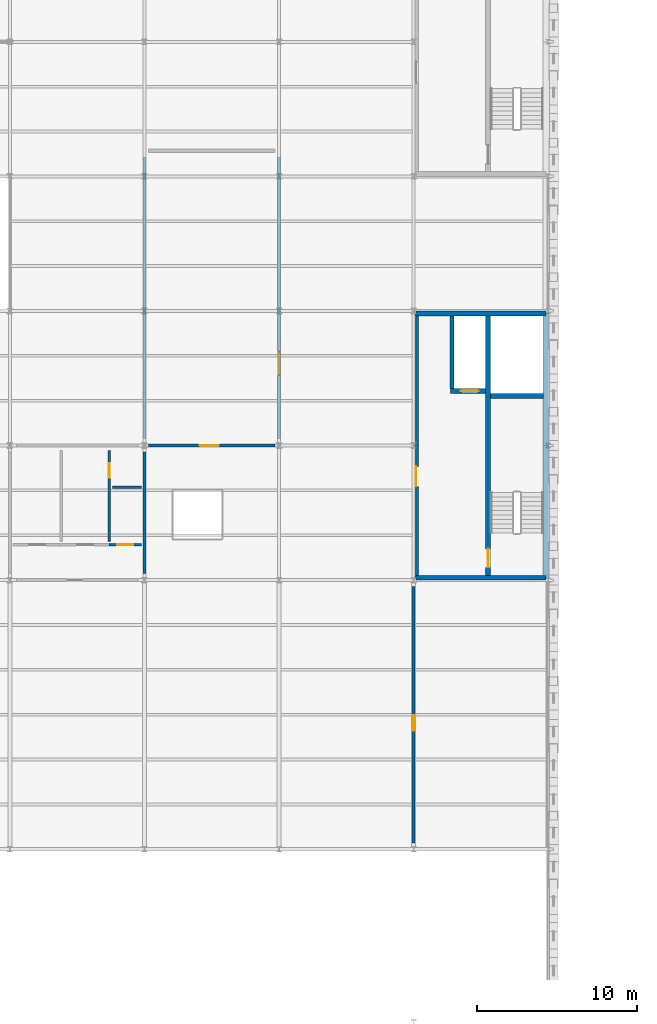
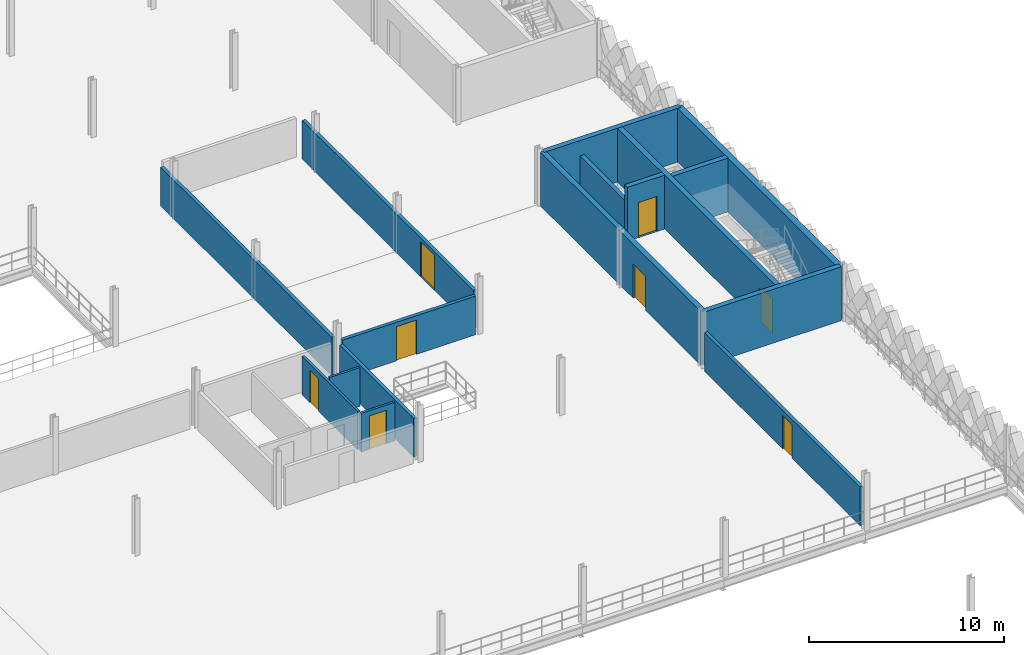
# One storey, part 40 of 47: 16 walls, 8 doors, 8 openings.
"""IFC4 building model written with IfcOpenShell, lengths in metres."""

import ifcopenshell
import ifcopenshell.guid

model = None  # the IFC model being written
_history = None  # IfcOwnerHistory: only IFC2X3 demands one
_inside = {}  # id of a spatial element -> (the spatial element, [elements in it])
_under = {}  # id of a project, library or spatial element -> (it, [spatial elements below it])
_declared = {}  # id of a project -> (the project, [libraries it declares])
_typed = {}  # id of a type object -> (the type object, [elements of that type])
_made_of = {}  # id of a material, layer set ... -> (it, [elements and type objects made of it])


def new_model(schema):
    """Start an empty IFC model of exactly this schema.

    Asked for "IFC4X3", IfcOpenShell would pick the latest addendum, in which some entities
    have other attributes; the version numbers below select the first issue.
    IFC2X3 requires an IfcOwnerHistory on every rooted entity: one is made here for all.
    """
    global model, _history
    if schema == "IFC4X3":
        model = ifcopenshell.file(schema_version=(4, 3, 0, 0))
    else:
        model = ifcopenshell.file(schema=schema)
    _inside.clear()
    _under.clear()
    _declared.clear()
    _typed.clear()
    _made_of.clear()
    _history = None
    if model.schema == "IFC2X3":
        org = make("IfcOrganization", Name="unknown")
        user = make(
            "IfcPersonAndOrganization",
            ThePerson=make("IfcPerson", FamilyName="unknown"),
            TheOrganization=org,
        )
        app = make(
            "IfcApplication",
            ApplicationDeveloper=org,
            Version="unknown",
            ApplicationFullName="unknown",
            ApplicationIdentifier="unknown",
        )
        _history = make(
            "IfcOwnerHistory",
            OwningUser=user,
            OwningApplication=app,
            ChangeAction="ADDED",
            CreationDate=0,
        )
    return model


def make(cls, **values):
    """One entity of the class cls with the attributes given. An attribute that is None is left unset."""
    return model.create_entity(
        cls, **{name: value for name, value in values.items() if value is not None}
    )


def rooted(cls, **values):
    """An entity with a GlobalId (a new one), such as an element, a storey or a relation."""
    return make(cls, GlobalId=ifcopenshell.guid.new(), OwnerHistory=_history, **values)


def si_unit(unit_type, name, prefix=None):
    """IfcSIUnit, for example si_unit("LENGTHUNIT", "METRE", prefix="MILLI")."""
    return make("IfcSIUnit", UnitType=unit_type, Prefix=prefix, Name=name)


def assignment(units):
    """IfcUnitAssignment: the units of a project."""
    return None if units is None else make("IfcUnitAssignment", Units=units)


def point(xyz):
    """IfcCartesianPoint."""
    return None if xyz is None else make("IfcCartesianPoint", Coordinates=xyz)


def direction(xyz):
    """IfcDirection."""
    return None if xyz is None else make("IfcDirection", DirectionRatios=xyz)


def frame(location, z_axis=None, x_axis=None):
    """IfcAxis2Placement3D, a coordinate frame: its origin and axes. An axis left out is left unset."""
    return make(
        "IfcAxis2Placement3D",
        Location=point(location),
        Axis=direction(z_axis),
        RefDirection=direction(x_axis),
    )


def frame_2d(location, x_axis=None):
    """IfcAxis2Placement2D, a coordinate frame in the plane: its origin and x axis."""
    return make(
        "IfcAxis2Placement2D", Location=point(location), RefDirection=direction(x_axis)
    )


def origin():
    """The frame at (0, 0, 0) with its axes left unset."""
    return frame((0.0, 0.0, 0.0))


def place(relative_to, where):
    """IfcLocalPlacement: puts the frame where relative to a parent placement (None: the world)."""
    return make(
        "IfcLocalPlacement", PlacementRelTo=relative_to, RelativePlacement=where
    )


def context(
    kind, dimensions, precision=None, world=None, true_north=None, identifier=None
):
    """IfcGeometricRepresentationContext, for example the 3D "Model" context."""
    return make(
        "IfcGeometricRepresentationContext",
        ContextIdentifier=identifier,
        ContextType=kind,
        CoordinateSpaceDimension=dimensions,
        Precision=precision,
        WorldCoordinateSystem=world,
        TrueNorth=true_north,
    )


def subcontext(parent, identifier, kind, view, scale=None):
    """IfcGeometricRepresentationSubContext, for example "Body" below "Model"."""
    return make(
        "IfcGeometricRepresentationSubContext",
        ContextIdentifier=identifier,
        ContextType=kind,
        ParentContext=parent,
        TargetScale=scale,
        TargetView=view,
    )


def project(units=None, contexts=None):
    """IfcProject with its units and contexts."""
    return rooted(
        "IfcProject",
        Name="project",
        RepresentationContexts=contexts,
        UnitsInContext=assignment(units),
    )


def spatial(cls, under=None, at=None, **own):
    """A site, building, storey or space (cls), placed at a placement, below another one or the project."""
    s = rooted(cls, ObjectPlacement=at, **own)
    if under is not None:
        _under.setdefault(under.id(), (under, []))[1].append(s)
    return s


def profile(cls, at=None, kind="AREA", **sizes):
    """A parametric profile (cls). Its sizes go by their IFC names, for example OverallWidth=200.0."""
    return make(cls, ProfileType=kind, Position=at, **sizes)


def rectangle(**sizes):
    """IfcRectangleProfileDef."""
    return profile("IfcRectangleProfileDef", **sizes)


def extrude(swept, where, along, depth):
    """IfcExtrudedAreaSolid: the profile swept, set in the frame where, extruded along a direction by depth."""
    return make(
        "IfcExtrudedAreaSolid",
        SweptArea=swept,
        Position=where,
        ExtrudedDirection=direction(along),
        Depth=depth,
    )


def shape(context_of_items, identifier, shape_type, items):
    """IfcShapeRepresentation: the items that make up one representation, for example the "Body"."""
    return make(
        "IfcShapeRepresentation",
        ContextOfItems=context_of_items,
        RepresentationIdentifier=identifier,
        RepresentationType=shape_type,
        Items=items,
    )


def material(Name=None, Category=None):
    """IfcMaterial."""
    return make("IfcMaterial", Name=Name, Category=Category)


def layer(
    of_material, thickness, ventilated=None, Name=None, Category=None, Priority=None
):
    """IfcMaterialLayer: one layer of a wall or slab, of a material (None: an air gap)."""
    return make(
        "IfcMaterialLayer",
        Material=of_material,
        LayerThickness=thickness,
        IsVentilated=ventilated,
        Name=Name,
        Category=Category,
        Priority=Priority,
    )


def layer_set(layers, Name=None):
    """IfcMaterialLayerSet."""
    return make("IfcMaterialLayerSet", MaterialLayers=layers, LayerSetName=Name)


def made_of(thing, what):
    """Note that an element or type object is made of a material, layer set ...; save() writes the relation."""
    if what is not None:
        _made_of.setdefault(what.id(), (what, []))[1].append(thing)
    return thing


def type_object(cls, material=None, **own):
    """A type object (cls), such as IfcWallType, which elements share."""
    return made_of(rooted(cls, **own), material)


def element(
    cls,
    number,
    at=None,
    inside=None,
    cuts=None,
    type_object=None,
    material=None,
    context=None,
    identifier="Body",
    shape_type=None,
    held_by="IfcProductDefinitionShape",
    body=None,
    shapes=None,
    **own,
):
    """One element of the class cls, such as IfcWall. Its Tag is "e" and its number.

    at: its placement. inside: the storey or other place that contains it. cuts: it is an
    opening in that element (IfcRelVoidsElement). A single representation is given by context,
    identifier, shape_type and body (its items); several are given by shapes. held_by: the class
    of the entity that holds the representations. save() writes the other relations.
    """
    e = rooted(cls, Tag="e%d" % number, ObjectPlacement=at, **own)
    if body is not None:
        shapes = [shape(context, identifier, shape_type, body)]
    if shapes is not None:
        e.Representation = make(held_by, Representations=shapes)
    if inside is not None:
        _inside.setdefault(inside.id(), (inside, []))[1].append(e)
    if cuts is not None:
        rooted(
            "IfcRelVoidsElement", RelatingBuildingElement=cuts, RelatedOpeningElement=e
        )
    if type_object is not None:
        _typed.setdefault(type_object.id(), (type_object, []))[1].append(e)
    return made_of(e, material)


def fill(opening, filler):
    """IfcRelFillsElement: the door or window that sits in an opening."""
    return rooted(
        "IfcRelFillsElement",
        RelatingOpeningElement=opening,
        RelatedBuildingElement=filler,
    )


def aggregate(whole, parts):
    """IfcRelAggregates: a whole, such as a stair, and the parts it consists of."""
    return rooted("IfcRelAggregates", RelatingObject=whole, RelatedObjects=parts)


def save(model, path):
    """Write the relations noted so far, then the file.

    IfcRelAggregates (storeys below a building ...), IfcRelContainedInSpatialStructure (elements
    in a storey), IfcRelDefinesByType, IfcRelAssociatesMaterial and IfcRelDeclares: one each for
    every whole, place, type object, material and project.
    """
    for whole, parts in _under.values():
        aggregate(whole, parts)
    for where, things in _inside.values():
        rooted(
            "IfcRelContainedInSpatialStructure",
            RelatedElements=things,
            RelatingStructure=where,
        )
    for kind, things in _typed.values():
        rooted("IfcRelDefinesByType", RelatedObjects=things, RelatingType=kind)
    for what, things in _made_of.values():
        rooted("IfcRelAssociatesMaterial", RelatedObjects=things, RelatingMaterial=what)
    for by, libraries in _declared.values():
        rooted("IfcRelDeclares", RelatingContext=by, RelatedDefinitions=libraries)
    model.write(path)


model = new_model("IFC4")

# Units and contexts
model_context = context("Model", 3, precision=1e-05, world=origin(), true_north=direction((0.0, 1.0)))
body_context = subcontext(model_context, "Body", "Model", "MODEL_VIEW")
ifc_project = project(units=[si_unit("LENGTHUNIT", "METRE"), si_unit("AREAUNIT", "SQUARE_METRE"), si_unit("VOLUMEUNIT", "CUBIC_METRE"), si_unit("PLANEANGLEUNIT", "RADIAN"), si_unit("MASSUNIT", "GRAM", prefix="KILO"), si_unit("THERMODYNAMICTEMPERATUREUNIT", "KELVIN"), si_unit("POWERUNIT", "WATT")], contexts=[model_context])

# Site, building, storey
site_placement = place(None, origin())
site = spatial("IfcSite", under=ifc_project, at=site_placement, CompositionType="ELEMENT")
building_placement = place(site_placement, origin())
building = spatial("IfcBuilding", under=site, at=building_placement, Name="Tembeka Court Mobility Hub", CompositionType="ELEMENT")
storey_placement = place(building_placement, frame((0.0, 0.0, 19.800048828125)))
storey = spatial("IfcBuildingStorey", under=building, at=storey_placement, Name="L05", CompositionType="ELEMENT", Elevation=19.800048828125)

# Walls
ifc_material_1 = material(Name="Concrete C40/50", Category="concrete")
ifc_layer_1 = layer(ifc_material_1, 0.25)
ifc_layer_set_1 = layer_set([ifc_layer_1], Name="Concrete C40/50")
wall_type_1 = type_object("IfcWallType", Name="WL-IW01", PredefinedType="PARTITIONING", material=ifc_layer_set_1)
wall_1_placement = place(storey_placement, frame((86.39990234375, 50.35009765625, 0.0), z_axis=(0.0, 0.0, 1.0), x_axis=(0.0, 1.0, 0.0)))
element("IfcWall", 1, at=wall_1_placement, inside=storey, type_object=wall_type_1, Name="Wall IW01 (IW-L05-0240)", PredefinedType="PARTITIONING", context=body_context, shape_type="SweptSolid", body=[
    extrude(rectangle(XDim=4.5498046875, YDim=0.25, at=frame_2d((2.27490234375, 0.0))), origin(), (0.0, 0.0, 1.0), 2.425048828125),
])
ifc_material_2 = material(Name="Concrete blockwork masonry", Category="masonry")
ifc_layer_2 = layer(ifc_material_2, 0.199951171875)
ifc_layer_set_2 = layer_set([ifc_layer_2], Name="Concrete blockwork masonry")
wall_type_2 = type_object("IfcWallType", Name="WL-IW02", PredefinedType="PARTITIONING", material=ifc_layer_set_2)
wall_2_placement = place(storey_placement, frame((67.199951171875, 38.800048828125, 0.0), z_axis=(0.0, 0.0, 1.0), x_axis=(0.0, 1.0, 0.0)))
element("IfcWall", 2, at=wall_2_placement, inside=storey, type_object=wall_type_2, Name="Wall IW02 (IW-L05-0399)", PredefinedType="PARTITIONING", context=body_context, shape_type="SweptSolid", body=[
    extrude(rectangle(XDim=7.599853515625, YDim=0.199951171875, at=frame_2d((3.7998046875, 0.0))), origin(), (0.0, 0.0, 1.0), 2.425048828125),
])

# Wall, opening, door
wall_3_placement = place(storey_placement, frame((84.0, 22.0, 0.0), z_axis=(0.0, 0.0, 1.0), x_axis=(0.0, 1.0, 0.0)))
wall_3 = element("IfcWall", 3, at=wall_3_placement, inside=storey, type_object=wall_type_2, Name="Wall IW02 (IW-L05-0449)", PredefinedType="PARTITIONING", context=body_context, shape_type="SweptSolid", body=[
    extrude(rectangle(XDim=16.0, YDim=0.199951171875, at=frame_2d((8.0, 0.0))), origin(), (0.0, 0.0, 1.0), 2.425048828125),
])
opening_1_placement = place(wall_3_placement, frame((7.0, 0.0, 0.0)))
opening_1 = element("IfcOpeningElement", 4, at=opening_1_placement, cuts=wall_3, Name="Opening ID01", PredefinedType="OPENING", context=body_context, shape_type="SweptSolid", body=[
    extrude(rectangle(XDim=0.949951171875, YDim=2.10009765625, at=frame_2d((0.47509765625, 1.050048828125))), frame((0.0, 0.10986328125, 0.0), z_axis=(0.0, -1.0, 0.0), x_axis=(1.0, 0.0, 0.0)), (0.0, 0.0, 1.0), 0.219970703125),
])
ifc_material_3 = material(Name="Powder-coated aluminium glazed doorset", Category="aluminium")
door_type_1 = type_object("IfcDoorType", Name="DR-ID01", OperationType="NOTDEFINED", PredefinedType="DOOR", material=ifc_material_3)
door_1_placement = place(opening_1_placement, origin())
door_1 = element("IfcDoor", 5, at=door_1_placement, inside=storey, type_object=door_type_1, Name="Door ID01-0222", OperationType="SINGLE_SWING_LEFT", OverallHeight=2.10009765625, OverallWidth=0.949951171875, PredefinedType="DOOR", context=body_context, shape_type="SweptSolid", body=[
    extrude(rectangle(XDim=0.949951171875, YDim=2.10009765625, at=frame_2d((0.47509765625, 1.050048828125))), frame((0.0, 0.02490234375, 0.0), z_axis=(0.0, -1.0, 0.0), x_axis=(1.0, 0.0, 0.0)), (0.0, 0.0, 1.0), 0.050048828125),
])
fill(opening_1, door_1)

wall_4_placement = place(storey_placement, frame((75.60009765625, 47.199951171875, 0.0), z_axis=(0.0, 0.0, 1.0), x_axis=(0.0, 1.0, 0.0)))
wall_4 = element("IfcWall", 6, at=wall_4_placement, inside=storey, type_object=wall_type_2, Name="Wall IW02 (IW-L05-0451)", PredefinedType="PARTITIONING", context=body_context, shape_type="SweptSolid", body=[
    extrude(rectangle(XDim=17.60009765625, YDim=0.199951171875, at=frame_2d((8.800048828125, 0.0))), origin(), (0.0, 0.0, 1.0), 2.425048828125),
])
opening_2_placement = place(wall_4_placement, frame((4.0, 0.0, 0.0)))
opening_2 = element("IfcOpeningElement", 7, at=opening_2_placement, cuts=wall_4, Name="Opening ID06", PredefinedType="OPENING", context=body_context, shape_type="SweptSolid", body=[
    extrude(rectangle(XDim=1.449951171875, YDim=2.199951171875, at=frame_2d((0.72509765625, 1.10009765625))), frame((0.0, 0.10986328125, 0.0), z_axis=(0.0, -1.0, 0.0), x_axis=(1.0, 0.0, 0.0)), (0.0, 0.0, 1.0), 0.219970703125),
])
door_type_2 = type_object("IfcDoorType", Name="DR-ID06", OperationType="NOTDEFINED", PredefinedType="DOOR", material=ifc_material_3)
door_2_placement = place(opening_2_placement, origin())
door_2 = element("IfcDoor", 8, at=door_2_placement, inside=storey, type_object=door_type_2, Name="Door ID06-0224", OperationType="DOUBLE_DOOR_SINGLE_SWING", OverallHeight=2.199951171875, OverallWidth=1.449951171875, PredefinedType="DOOR", context=body_context, shape_type="SweptSolid", body=[
    extrude(rectangle(XDim=1.449951171875, YDim=2.199951171875, at=frame_2d((0.72509765625, 1.10009765625))), frame((0.0, 0.02490234375, 0.0), z_axis=(0.0, -1.0, 0.0), x_axis=(1.0, 0.0, 0.0)), (0.0, 0.0, 1.0), 0.050048828125),
])
fill(opening_2, door_2)

# Wall
wall_5_placement = place(storey_placement, frame((67.199951171875, 47.199951171875, 0.0), z_axis=(0.0, 0.0, 1.0), x_axis=(0.0, 1.0, 0.0)))
element("IfcWall", 9, at=wall_5_placement, inside=storey, type_object=wall_type_2, Name="Wall IW02 (IW-L05-0452)", PredefinedType="PARTITIONING", context=body_context, shape_type="SweptSolid", body=[
    extrude(rectangle(XDim=17.60009765625, YDim=0.199951171875, at=frame_2d((8.800048828125, 0.0))), origin(), (0.0, 0.0, 1.0), 2.425048828125),
])

# Wall, opening, door
wall_6_placement = place(storey_placement, frame((67.449951171875, 46.800048828125, 0.0), z_axis=(0.0, 0.0, 1.0), x_axis=(1.0, 0.0, 0.0)))
wall_6 = element("IfcWall", 10, at=wall_6_placement, inside=storey, type_object=wall_type_2, Name="Wall IW02 (IW-L05-0454)", PredefinedType="PARTITIONING", context=body_context, shape_type="SweptSolid", body=[
    extrude(rectangle(XDim=7.900146484375, YDim=0.199951171875, at=frame_2d((3.9501953125, 0.0))), origin(), (0.0, 0.0, 1.0), 2.425048828125),
])
opening_3_placement = place(wall_6_placement, frame((3.199951171875, 0.0, 0.0)))
opening_3 = element("IfcOpeningElement", 11, at=opening_3_placement, cuts=wall_6, Name="Opening ID04", PredefinedType="OPENING", context=body_context, shape_type="SweptSolid", body=[
    extrude(rectangle(XDim=1.199951171875, YDim=2.14990234375, at=frame_2d((0.60009765625, 1.074951171875))), frame((0.0, 0.10986328125, 0.0), z_axis=(0.0, -1.0, 0.0), x_axis=(1.0, 0.0, 0.0)), (0.0, 0.0, 1.0), 0.219970703125),
])
door_type_3 = type_object("IfcDoorType", Name="DR-ID04", OperationType="NOTDEFINED", PredefinedType="DOOR", material=ifc_material_3)
door_3_placement = place(opening_3_placement, origin())
door_3 = element("IfcDoor", 12, at=door_3_placement, inside=storey, type_object=door_type_3, Name="Door ID04-0225", OperationType="SINGLE_SWING_LEFT", OverallHeight=2.14990234375, OverallWidth=1.199951171875, PredefinedType="DOOR", context=body_context, shape_type="SweptSolid", body=[
    extrude(rectangle(XDim=1.199951171875, YDim=2.14990234375, at=frame_2d((0.60009765625, 1.074951171875))), frame((0.0, 0.02490234375, 0.0), z_axis=(0.0, -1.0, 0.0), x_axis=(1.0, 0.0, 0.0)), (0.0, 0.0, 1.0), 0.050048828125),
])
fill(opening_3, door_3)

ifc_material_4 = material(Name="Moisture-resistant gypsum partition", Category="masonry")
ifc_layer_3 = layer(ifc_material_4, 0.139892578125)
ifc_layer_set_3 = layer_set([ifc_layer_3], Name="Moisture-resistant gypsum partition")
wall_type_3 = type_object("IfcWallType", Name="WL-IW05", PredefinedType="PARTITIONING", material=ifc_layer_set_3)
wall_7_placement = place(storey_placement, frame((65.0, 40.60009765625, 0.0), z_axis=(0.0, 0.0, 1.0), x_axis=(1.0, 0.0, 0.0)))
wall_7 = element("IfcWall", 13, at=wall_7_placement, inside=storey, type_object=wall_type_3, Name="Wall IW05 (IW-L05-0402)", PredefinedType="PARTITIONING", context=body_context, shape_type="SweptSolid", body=[
    extrude(rectangle(XDim=2.0, YDim=0.139892578125, at=frame_2d((1.0, 0.0))), origin(), (0.0, 0.0, 1.0), 2.425048828125),
])
opening_4_placement = place(wall_7_placement, frame((0.5, 0.0, 0.0)))
opening_4 = element("IfcOpeningElement", 14, at=opening_4_placement, cuts=wall_7, Name="Opening ID02", PredefinedType="OPENING", context=body_context, shape_type="SweptSolid", body=[
    extrude(rectangle(XDim=1.0, YDim=2.10009765625, at=frame_2d((0.5, 1.050048828125))), frame((0.0, 0.080078125, 0.0), z_axis=(0.0, -1.0, 0.0), x_axis=(1.0, 0.0, 0.0)), (0.0, 0.0, 1.0), 0.159912109375),
])
door_type_4 = type_object("IfcDoorType", Name="DR-ID02", OperationType="NOTDEFINED", PredefinedType="DOOR", material=ifc_material_3)
door_4_placement = place(opening_4_placement, origin())
door_4 = element("IfcDoor", 15, at=door_4_placement, inside=storey, type_object=door_type_4, Name="L05 accessible unisex WC door", OperationType="SINGLE_SWING_RIGHT", OverallHeight=2.10009765625, OverallWidth=1.0, PredefinedType="DOOR", context=body_context, shape_type="SweptSolid", body=[
    extrude(rectangle(XDim=1.0, YDim=2.10009765625, at=frame_2d((0.5, 1.050048828125))), frame((0.0, 0.02490234375, 0.0), z_axis=(0.0, -1.0, 0.0), x_axis=(1.0, 0.0, 0.0)), (0.0, 0.0, 1.0), 0.050048828125),
])
fill(opening_4, door_4)

wall_8_placement = place(storey_placement, frame((65.0, 40.800048828125, 0.0), z_axis=(0.0, 0.0, 1.0), x_axis=(0.0, 1.0, 0.0)))
wall_8 = element("IfcWall", 16, at=wall_8_placement, inside=storey, type_object=wall_type_3, Name="Wall IW05 (IW-L05-0404)", PredefinedType="PARTITIONING", context=body_context, shape_type="SweptSolid", body=[
    extrude(rectangle(XDim=5.699951171875, YDim=0.139892578125, at=frame_2d((2.85009765625, 0.0))), origin(), (0.0, 0.0, 1.0), 2.425048828125),
])
opening_5_placement = place(wall_8_placement, frame((4.0, 0.0, 0.0)))
opening_5 = element("IfcOpeningElement", 17, at=opening_5_placement, cuts=wall_8, Name="Opening ID08", PredefinedType="OPENING", context=body_context, shape_type="SweptSolid", body=[
    extrude(rectangle(XDim=0.89990234375, YDim=2.050048828125, at=frame_2d((0.449951171875, 1.02490234375))), frame((0.0, 0.080078125, 0.0), z_axis=(0.0, -1.0, 0.0), x_axis=(1.0, 0.0, 0.0)), (0.0, 0.0, 1.0), 0.159912109375),
])
door_type_5 = type_object("IfcDoorType", Name="DR-ID08", OperationType="NOTDEFINED", PredefinedType="DOOR", material=ifc_material_3)
door_5_placement = place(opening_5_placement, origin())
door_5 = element("IfcDoor", 18, at=door_5_placement, inside=storey, type_object=door_type_5, Name="L05 cleaner cupboard door", OperationType="SINGLE_SWING_LEFT", OverallHeight=2.050048828125, OverallWidth=0.89990234375, PredefinedType="DOOR", context=body_context, shape_type="SweptSolid", body=[
    extrude(rectangle(XDim=0.89990234375, YDim=2.050048828125, at=frame_2d((0.449951171875, 1.02490234375))), frame((0.0, 0.02490234375, 0.0), z_axis=(0.0, -1.0, 0.0), x_axis=(1.0, 0.0, 0.0)), (0.0, 0.0, 1.0), 0.050048828125),
])
fill(opening_5, door_5)

# Walls
wall_9_placement = place(storey_placement, frame((65.199951171875, 44.199951171875, 0.0), z_axis=(0.0, 0.0, 1.0), x_axis=(1.0, 0.0, 0.0)))
element("IfcWall", 19, at=wall_9_placement, inside=storey, type_object=wall_type_3, Name="Wall IW05 (IW-L05-0405)", PredefinedType="PARTITIONING", context=body_context, shape_type="SweptSolid", body=[
    extrude(rectangle(XDim=1.800048828125, YDim=0.139892578125, at=frame_2d((0.89990234375, 0.0))), origin(), (0.0, 0.0, 1.0), 2.425048828125),
])
ifc_layer_4 = layer(ifc_material_1, 0.300048828125)
ifc_layer_set_4 = layer_set([ifc_layer_4], Name="Concrete C40/50")
wall_type_4 = type_object("IfcWallType", Name="WL-SW01", PredefinedType="SHEAR", material=ifc_layer_set_4)
for number, where, z_axis, x_axis, name in (
    (20, (84.152587890625, 38.550048828125, 0.0), (0.0, 0.0, 1.0), (1.0, 0.0, 0.0), "Wall SW01 (IW-L05-0233)"),
    (21, (84.152587890625, 55.050048828125, 0.0), (0.0, 0.0, 1.0), (1.0, 0.0, 0.0), "Wall SW01 (IW-L05-0234)"),
):
    element("IfcWall", number, at=place(storey_placement, frame(where, z_axis=z_axis, x_axis=x_axis)), inside=storey, type_object=wall_type_4, Name=name, PredefinedType="SHEAR", context=body_context, shape_type="SweptSolid", body=[
        extrude(rectangle(XDim=8.121337890625, YDim=0.300048828125, at=frame_2d((4.060546875, 0.0))), origin(), (0.0, 0.0, 1.0), 3.3798828125),
    ])
wall_10_placement = place(storey_placement, frame((88.800048828125, 49.89990234375, 0.0), z_axis=(0.0, 0.0, 1.0), x_axis=(1.0, 0.0, 0.0)))
element("IfcWall", 22, at=wall_10_placement, inside=storey, type_object=wall_type_4, Name="Wall SW01 (IW-L05-0235)", PredefinedType="SHEAR", context=body_context, shape_type="SweptSolid", body=[
    extrude(rectangle(XDim=3.300048828125, YDim=0.300048828125, at=frame_2d((1.64990234375, 0.0))), origin(), (0.0, 0.0, 1.0), 3.3798828125),
])

# Wall, opening, door
wall_11_placement = place(storey_placement, frame((84.14990234375, 38.55859375, 0.0), z_axis=(0.0, 0.0, 1.0), x_axis=(0.0, 1.0, 0.0)))
wall_11 = element("IfcWall", 23, at=wall_11_placement, inside=storey, type_object=wall_type_4, Name="Wall SW01 (IW-L05-0237)", PredefinedType="SHEAR", context=body_context, shape_type="SweptSolid", body=[
    extrude(rectangle(XDim=16.48291015625, YDim=0.300048828125, at=frame_2d((8.241455078125, 0.0))), origin(), (0.0, 0.0, 1.0), 3.3798828125),
])
opening_6_placement = place(wall_11_placement, frame((5.69140625, 0.0, 0.0)))
opening_6 = element("IfcOpeningElement", 24, at=opening_6_placement, cuts=wall_11, Name="Opening FD01", PredefinedType="OPENING", context=body_context, shape_type="SweptSolid", body=[
    extrude(rectangle(XDim=1.25, YDim=2.14990234375, at=frame_2d((0.625, 1.074951171875))), frame((0.0, 0.16015625, 0.0), z_axis=(0.0, -1.0, 0.0), x_axis=(1.0, 0.0, 0.0)), (0.0, 0.0, 1.0), 0.320068359375),
])
ifc_material_5 = material(Name="Galvanised steel fire/shutter doorset", Category="steel")
door_type_6 = type_object("IfcDoorType", Name="DR-FD01", OperationType="NOTDEFINED", PredefinedType="DOOR", material=ifc_material_5)
door_6_placement = place(opening_6_placement, origin())
door_6 = element("IfcDoor", 25, at=door_6_placement, inside=storey, type_object=door_type_6, Name="Door FD01-0108", OperationType="SINGLE_SWING_LEFT", OverallHeight=2.14990234375, OverallWidth=1.25, PredefinedType="DOOR", context=body_context, shape_type="SweptSolid", body=[
    extrude(rectangle(XDim=1.25, YDim=2.14990234375, at=frame_2d((0.625, 1.074951171875))), frame((0.0, 0.02490234375, 0.0), z_axis=(0.0, -1.0, 0.0), x_axis=(1.0, 0.0, 0.0)), (0.0, 0.0, 1.0), 0.050048828125),
])
fill(opening_6, door_6)

wall_12_placement = place(storey_placement, frame((88.64990234375, 38.699951171875, 0.0), z_axis=(0.0, 0.0, 1.0), x_axis=(0.0, 1.0, 0.0)))
wall_12 = element("IfcWall", 26, at=wall_12_placement, inside=storey, type_object=wall_type_4, Name="Wall SW01 (IW-L05-0238)", PredefinedType="SHEAR", context=body_context, shape_type="SweptSolid", body=[
    extrude(rectangle(XDim=16.199951171875, YDim=0.300048828125, at=frame_2d((8.10009765625, 0.0))), origin(), (0.0, 0.0, 1.0), 3.3798828125),
])
opening_7_placement = place(wall_12_placement, frame((0.5, 0.0, 0.0)))
opening_7 = element("IfcOpeningElement", 27, at=opening_7_placement, cuts=wall_12, Name="Opening FD03", PredefinedType="OPENING", context=body_context, shape_type="SweptSolid", body=[
    extrude(rectangle(XDim=1.14990234375, YDim=2.14990234375, at=frame_2d((0.574951171875, 1.074951171875))), frame((0.0, 0.16015625, 0.0), z_axis=(0.0, -1.0, 0.0), x_axis=(1.0, 0.0, 0.0)), (0.0, 0.0, 1.0), 0.320068359375),
])
door_type_7 = type_object("IfcDoorType", Name="DR-FD03", OperationType="NOTDEFINED", PredefinedType="DOOR", material=ifc_material_5)
door_7_placement = place(opening_7_placement, origin())
door_7 = element("IfcDoor", 28, at=door_7_placement, inside=storey, type_object=door_type_7, Name="Door FD03-0109", OperationType="SINGLE_SWING_RIGHT", OverallHeight=2.14990234375, OverallWidth=1.14990234375, PredefinedType="DOOR", context=body_context, shape_type="SweptSolid", body=[
    extrude(rectangle(XDim=1.14990234375, YDim=2.14990234375, at=frame_2d((0.574951171875, 1.074951171875))), frame((0.0, 0.02490234375, 0.0), z_axis=(0.0, -1.0, 0.0), x_axis=(1.0, 0.0, 0.0)), (0.0, 0.0, 1.0), 0.050048828125),
])
fill(opening_7, door_7)

wall_13_placement = place(storey_placement, frame((86.300048828125, 50.199951171875, 0.0), z_axis=(0.0, 0.0, 1.0), x_axis=(1.0, 0.0, 0.0)))
wall_13 = element("IfcWall", 29, at=wall_13_placement, inside=storey, type_object=wall_type_4, Name="Wall SW01 (IW-L05-0239)", PredefinedType="SHEAR", context=body_context, shape_type="SweptSolid", body=[
    extrude(rectangle(XDim=2.199951171875, YDim=0.300048828125, at=frame_2d((1.10009765625, 0.0))), origin(), (0.0, 0.0, 1.0), 3.3798828125),
])
opening_8_placement = place(wall_13_placement, frame((0.64990234375, 0.0, 0.0)))
opening_8 = element("IfcOpeningElement", 30, at=opening_8_placement, cuts=wall_13, Name="Opening LD01", PredefinedType="OPENING", context=body_context, shape_type="SweptSolid", body=[
    extrude(rectangle(XDim=1.10009765625, YDim=2.199951171875, at=frame_2d((0.550048828125, 1.10009765625))), frame((0.0, 0.16015625, 0.0), z_axis=(0.0, -1.0, 0.0), x_axis=(1.0, 0.0, 0.0)), (0.0, 0.0, 1.0), 0.320068359375),
])
door_type_8 = type_object("IfcDoorType", Name="DR-LD01", OperationType="SLIDING_TO_LEFT", PredefinedType="DOOR", material=ifc_material_5)
door_8_placement = place(opening_8_placement, origin())
door_8 = element("IfcDoor", 31, at=door_8_placement, inside=storey, type_object=door_type_8, Name="Lift LF06 landing door L05", OperationType="SLIDING_TO_LEFT", OverallHeight=2.199951171875, OverallWidth=1.10009765625, PredefinedType="DOOR", context=body_context, shape_type="SweptSolid", body=[
    extrude(rectangle(XDim=1.10009765625, YDim=2.199951171875, at=frame_2d((0.550048828125, 1.10009765625))), frame((0.0, 0.02490234375, 0.0), z_axis=(0.0, -1.0, 0.0), x_axis=(1.0, 0.0, 0.0)), (0.0, 0.0, 1.0), 0.050048828125),
])
fill(opening_8, door_8)

# Wall
ifc_layer_5 = layer(ifc_material_1, 0.35009765625)
ifc_layer_set_5 = layer_set([ifc_layer_5], Name="Concrete C40/50")
wall_type_5 = type_object("IfcWallType", Name="WL-SW02", PredefinedType="SHEAR", material=ifc_layer_set_5)
wall_14_placement = place(storey_placement, frame((92.25, 38.528076171875, 0.0), z_axis=(0.0, 0.0, 1.0), x_axis=(0.0, 1.0, 0.0)))
element("IfcWall", 32, at=wall_14_placement, inside=storey, type_object=wall_type_5, Name="Wall SW02 (IW-L05-0236)", PredefinedType="SHEAR", context=body_context, shape_type="SweptSolid", body=[
    extrude(rectangle(XDim=16.5439453125, YDim=0.35009765625, at=frame_2d((8.27197265625, 0.0))), origin(), (0.0, 0.0, 1.0), 3.3798828125),
])

save(model, "model.ifc")
